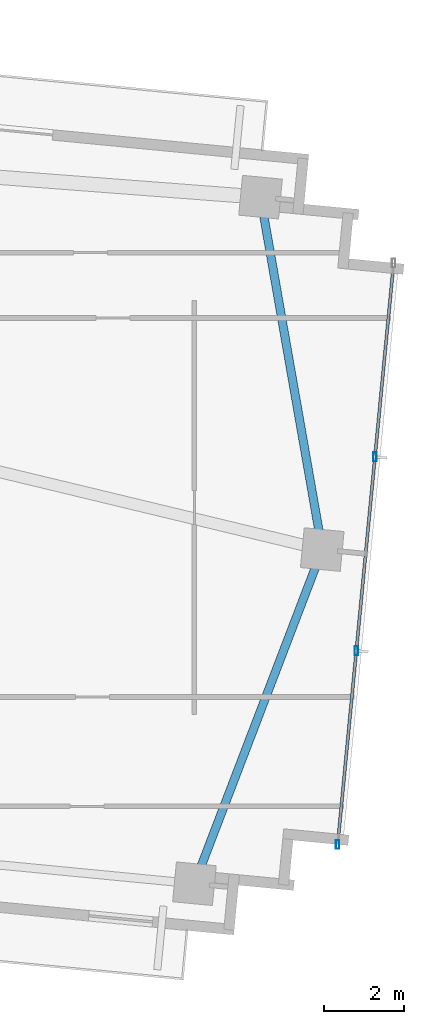
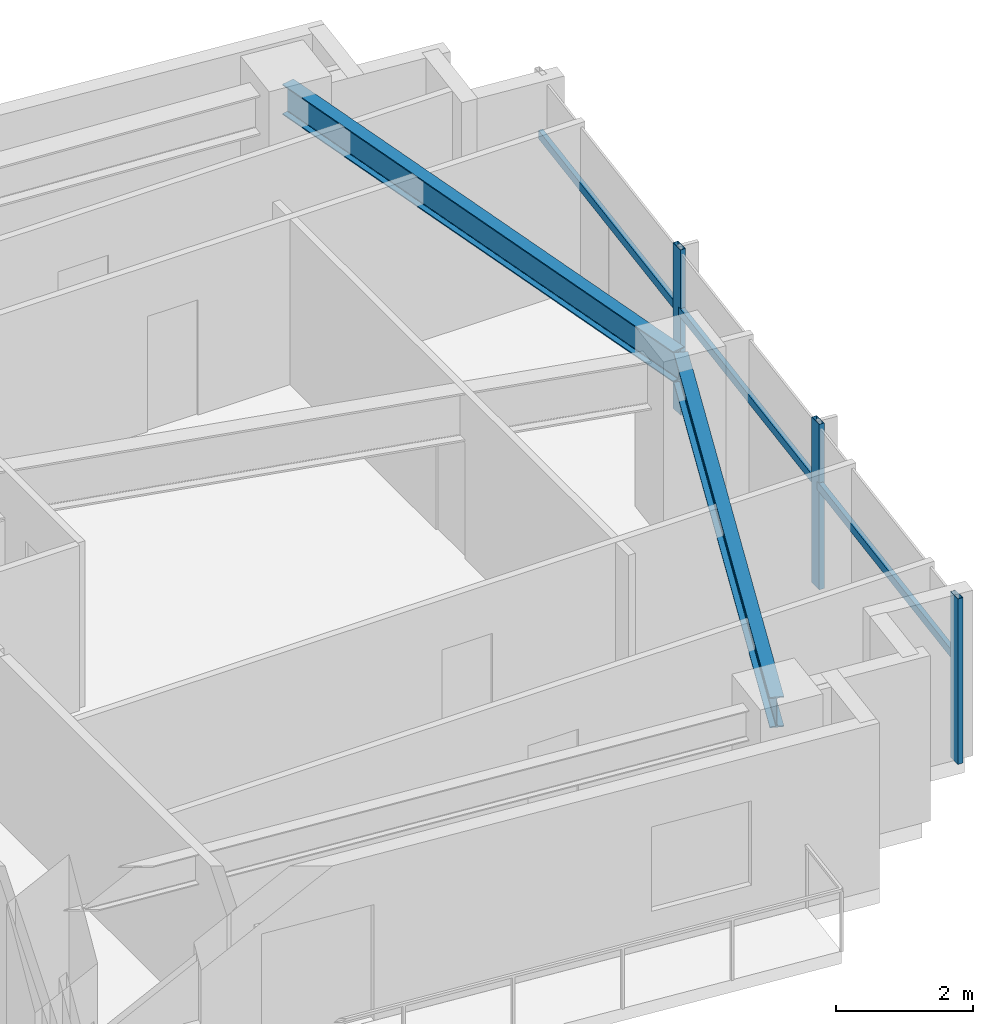
# One storey, part 11 of 20: 6 members, 2 beams, 1 element without a shape of its own.
"""IFC4 building model written with IfcOpenShell, lengths in metres."""

import ifcopenshell
import ifcopenshell.guid

model = None  # the IFC model being written
_history = None  # IfcOwnerHistory: only IFC2X3 demands one
_inside = {}  # id of a spatial element -> (the spatial element, [elements in it])
_under = {}  # id of a project, library or spatial element -> (it, [spatial elements below it])
_declared = {}  # id of a project -> (the project, [libraries it declares])
_typed = {}  # id of a type object -> (the type object, [elements of that type])
_made_of = {}  # id of a material, layer set ... -> (it, [elements and type objects made of it])


def new_model(schema):
    """Start an empty IFC model of exactly this schema.

    Asked for "IFC4X3", IfcOpenShell would pick the latest addendum, in which some entities
    have other attributes; the version numbers below select the first issue.
    IFC2X3 requires an IfcOwnerHistory on every rooted entity: one is made here for all.
    """
    global model, _history
    if schema == "IFC4X3":
        model = ifcopenshell.file(schema_version=(4, 3, 0, 0))
    else:
        model = ifcopenshell.file(schema=schema)
    _inside.clear()
    _under.clear()
    _declared.clear()
    _typed.clear()
    _made_of.clear()
    _history = None
    if model.schema == "IFC2X3":
        org = make("IfcOrganization", Name="unknown")
        user = make(
            "IfcPersonAndOrganization",
            ThePerson=make("IfcPerson", FamilyName="unknown"),
            TheOrganization=org,
        )
        app = make(
            "IfcApplication",
            ApplicationDeveloper=org,
            Version="unknown",
            ApplicationFullName="unknown",
            ApplicationIdentifier="unknown",
        )
        _history = make(
            "IfcOwnerHistory",
            OwningUser=user,
            OwningApplication=app,
            ChangeAction="ADDED",
            CreationDate=0,
        )
    return model


def make(cls, **values):
    """One entity of the class cls with the attributes given. An attribute that is None is left unset."""
    return model.create_entity(
        cls, **{name: value for name, value in values.items() if value is not None}
    )


def rooted(cls, **values):
    """An entity with a GlobalId (a new one), such as an element, a storey or a relation."""
    return make(cls, GlobalId=ifcopenshell.guid.new(), OwnerHistory=_history, **values)


def si_unit(unit_type, name, prefix=None):
    """IfcSIUnit, for example si_unit("LENGTHUNIT", "METRE", prefix="MILLI")."""
    return make("IfcSIUnit", UnitType=unit_type, Prefix=prefix, Name=name)


def assignment(units):
    """IfcUnitAssignment: the units of a project."""
    return None if units is None else make("IfcUnitAssignment", Units=units)


def point(xyz):
    """IfcCartesianPoint."""
    return None if xyz is None else make("IfcCartesianPoint", Coordinates=xyz)


def direction(xyz):
    """IfcDirection."""
    return None if xyz is None else make("IfcDirection", DirectionRatios=xyz)


def frame(location, z_axis=None, x_axis=None):
    """IfcAxis2Placement3D, a coordinate frame: its origin and axes. An axis left out is left unset."""
    return make(
        "IfcAxis2Placement3D",
        Location=point(location),
        Axis=direction(z_axis),
        RefDirection=direction(x_axis),
    )


def frame_2d(location, x_axis=None):
    """IfcAxis2Placement2D, a coordinate frame in the plane: its origin and x axis."""
    return make(
        "IfcAxis2Placement2D", Location=point(location), RefDirection=direction(x_axis)
    )


def origin():
    """The frame at (0, 0, 0) with its axes left unset."""
    return frame((0.0, 0.0, 0.0))


def origin_2d():
    """The frame at (0, 0) in the plane with its x axis left unset."""
    return frame_2d((0.0, 0.0))


def place(relative_to, where):
    """IfcLocalPlacement: puts the frame where relative to a parent placement (None: the world)."""
    return make(
        "IfcLocalPlacement", PlacementRelTo=relative_to, RelativePlacement=where
    )


def context(
    kind, dimensions, precision=None, world=None, true_north=None, identifier=None
):
    """IfcGeometricRepresentationContext, for example the 3D "Model" context."""
    return make(
        "IfcGeometricRepresentationContext",
        ContextIdentifier=identifier,
        ContextType=kind,
        CoordinateSpaceDimension=dimensions,
        Precision=precision,
        WorldCoordinateSystem=world,
        TrueNorth=true_north,
    )


def subcontext(parent, identifier, kind, view, scale=None):
    """IfcGeometricRepresentationSubContext, for example "Body" below "Model"."""
    return make(
        "IfcGeometricRepresentationSubContext",
        ContextIdentifier=identifier,
        ContextType=kind,
        ParentContext=parent,
        TargetScale=scale,
        TargetView=view,
    )


def project(units=None, contexts=None):
    """IfcProject with its units and contexts."""
    return rooted(
        "IfcProject",
        Name="project",
        RepresentationContexts=contexts,
        UnitsInContext=assignment(units),
    )


def spatial(cls, under=None, at=None, **own):
    """A site, building, storey or space (cls), placed at a placement, below another one or the project."""
    s = rooted(cls, ObjectPlacement=at, **own)
    if under is not None:
        _under.setdefault(under.id(), (under, []))[1].append(s)
    return s


def profile(cls, at=None, kind="AREA", **sizes):
    """A parametric profile (cls). Its sizes go by their IFC names, for example OverallWidth=200.0."""
    return make(cls, ProfileType=kind, Position=at, **sizes)


def hollow_rectangle(**sizes):
    """IfcRectangleHollowProfileDef."""
    return profile("IfcRectangleHollowProfileDef", **sizes)


def i_section(**sizes):
    """IfcIShapeProfileDef."""
    return profile("IfcIShapeProfileDef", **sizes)


def extrude(swept, where, along, depth):
    """IfcExtrudedAreaSolid: the profile swept, set in the frame where, extruded along a direction by depth."""
    return make(
        "IfcExtrudedAreaSolid",
        SweptArea=swept,
        Position=where,
        ExtrudedDirection=direction(along),
        Depth=depth,
    )


def shape(context_of_items, identifier, shape_type, items):
    """IfcShapeRepresentation: the items that make up one representation, for example the "Body"."""
    return make(
        "IfcShapeRepresentation",
        ContextOfItems=context_of_items,
        RepresentationIdentifier=identifier,
        RepresentationType=shape_type,
        Items=items,
    )


def source(mapping_origin, context_of_items, identifier, shape_type, items):
    """IfcRepresentationMap: a shape defined once, which mapped items show again and again."""
    return make(
        "IfcRepresentationMap",
        MappingOrigin=mapping_origin,
        MappedRepresentation=shape(context_of_items, identifier, shape_type, items),
    )


def transform(
    local_origin,
    x_axis=None,
    y_axis=None,
    z_axis=None,
    scale=None,
    scale2=None,
    scale3=None,
    uniform=True,
):
    """IfcCartesianTransformationOperator3D, or its non-uniform kind. x_axis, y_axis, z_axis: its Axis1, 2, 3."""
    if uniform:
        return make(
            "IfcCartesianTransformationOperator3D",
            Axis1=direction(x_axis),
            Axis2=direction(y_axis),
            LocalOrigin=point(local_origin),
            Scale=scale,
            Axis3=direction(z_axis),
        )
    return make(
        "IfcCartesianTransformationOperator3DnonUniform",
        Axis1=direction(x_axis),
        Axis2=direction(y_axis),
        LocalOrigin=point(local_origin),
        Scale=scale,
        Axis3=direction(z_axis),
        Scale2=scale2,
        Scale3=scale3,
    )


def mapped(mapping_source, mapping_target):
    """IfcMappedItem: shows the shape of a source again, moved by a transform."""
    return make(
        "IfcMappedItem", MappingSource=mapping_source, MappingTarget=mapping_target
    )


def material(Name=None, Category=None):
    """IfcMaterial."""
    return make("IfcMaterial", Name=Name, Category=Category)


def material_profile(
    of_material, cross_section, Name=None, Category=None, Priority=None
):
    """IfcMaterialProfile: a cross section and its material."""
    return make(
        "IfcMaterialProfile",
        Name=Name,
        Material=of_material,
        Profile=cross_section,
        Priority=Priority,
        Category=Category,
    )


def profile_set(profiles, Name=None, composite=None):
    """IfcMaterialProfileSet."""
    return make(
        "IfcMaterialProfileSet",
        Name=Name,
        MaterialProfiles=profiles,
        CompositeProfile=composite,
    )


def made_of(thing, what):
    """Note that an element or type object is made of a material, layer set ...; save() writes the relation."""
    if what is not None:
        _made_of.setdefault(what.id(), (what, []))[1].append(thing)
    return thing


def type_object(cls, material=None, **own):
    """A type object (cls), such as IfcWallType, which elements share."""
    return made_of(rooted(cls, **own), material)


def type_shapes(of_type, sources):
    """Give a type object the sources (RepresentationMaps) that its elements show as mapped items."""
    of_type.RepresentationMaps = sources


def element(
    cls,
    number,
    at=None,
    inside=None,
    cuts=None,
    type_object=None,
    material=None,
    context=None,
    identifier="Body",
    shape_type=None,
    held_by="IfcProductDefinitionShape",
    body=None,
    shapes=None,
    **own,
):
    """One element of the class cls, such as IfcWall. Its Tag is "e" and its number.

    at: its placement. inside: the storey or other place that contains it. cuts: it is an
    opening in that element (IfcRelVoidsElement). A single representation is given by context,
    identifier, shape_type and body (its items); several are given by shapes. held_by: the class
    of the entity that holds the representations. save() writes the other relations.
    """
    e = rooted(cls, Tag="e%d" % number, ObjectPlacement=at, **own)
    if body is not None:
        shapes = [shape(context, identifier, shape_type, body)]
    if shapes is not None:
        e.Representation = make(held_by, Representations=shapes)
    if inside is not None:
        _inside.setdefault(inside.id(), (inside, []))[1].append(e)
    if cuts is not None:
        rooted(
            "IfcRelVoidsElement", RelatingBuildingElement=cuts, RelatedOpeningElement=e
        )
    if type_object is not None:
        _typed.setdefault(type_object.id(), (type_object, []))[1].append(e)
    return made_of(e, material)


def aggregate(whole, parts):
    """IfcRelAggregates: a whole, such as a stair, and the parts it consists of."""
    return rooted("IfcRelAggregates", RelatingObject=whole, RelatedObjects=parts)


def save(model, path):
    """Write the relations noted so far, then the file.

    IfcRelAggregates (storeys below a building ...), IfcRelContainedInSpatialStructure (elements
    in a storey), IfcRelDefinesByType, IfcRelAssociatesMaterial and IfcRelDeclares: one each for
    every whole, place, type object, material and project.
    """
    for whole, parts in _under.values():
        aggregate(whole, parts)
    for where, things in _inside.values():
        rooted(
            "IfcRelContainedInSpatialStructure",
            RelatedElements=things,
            RelatingStructure=where,
        )
    for kind, things in _typed.values():
        rooted("IfcRelDefinesByType", RelatedObjects=things, RelatingType=kind)
    for what, things in _made_of.values():
        rooted("IfcRelAssociatesMaterial", RelatedObjects=things, RelatingMaterial=what)
    for by, libraries in _declared.values():
        rooted("IfcRelDeclares", RelatingContext=by, RelatedDefinitions=libraries)
    model.write(path)


model = new_model("IFC4")

# Units and contexts
model_context = context("Model", 3, precision=1e-05, world=origin(), true_north=direction((0.0, 1.0)))
body_context = subcontext(model_context, "Body", "Model", "MODEL_VIEW")
ifc_project = project(units=[si_unit("LENGTHUNIT", "METRE"), si_unit("AREAUNIT", "SQUARE_METRE"), si_unit("VOLUMEUNIT", "CUBIC_METRE"), si_unit("PLANEANGLEUNIT", "RADIAN"), si_unit("MASSUNIT", "GRAM", prefix="KILO")], contexts=[model_context])

# Site, building, storey
site_placement = place(None, origin())
site = spatial("IfcSite", under=ifc_project, at=site_placement, CompositionType="ELEMENT")
building_placement = place(site_placement, origin())
building = spatial("IfcBuilding", under=site, at=building_placement, Name="Astriad Promenade Condominiums", CompositionType="ELEMENT")
storey_placement = place(building_placement, frame((0.0, 0.0, 137.39990234375)))
storey = spatial("IfcBuildingStorey", under=building, at=storey_placement, Name="L39", CompositionType="ELEMENT", Elevation=137.39990234375)

# Beams
ifc_material_1 = material(Name="Steel ASTM A992 Grade 50", Category="steel")
ifc_material_profile_1 = material_profile(ifc_material_1, i_section(OverallWidth=0.210693359375, OverallDepth=0.53955078125, WebThickness=0.01171875, FlangeThickness=0.018798828125, FilletRadius=0.0166015625, at=origin_2d()), Name="W21X73")
ifc_profile_set_1 = profile_set([ifc_material_profile_1], Name="Steel ASTM A992 Grade 50")
beam_type = type_object("IfcBeamType", Name="STEEL SPANDREL BEAM W21X73", PredefinedType="SPANDREL", material=ifc_profile_set_1)
shared_shape_1 = source(origin(), body_context, "Body", "SweptSolid", [
    extrude(i_section(OverallWidth=0.210693359375, OverallDepth=0.53955078125, WebThickness=0.01171875, FlangeThickness=0.018798828125, FilletRadius=0.0166015625, at=origin_2d()), origin(), (0.0, 0.0, 1.0), 8.8623046875),
])
type_shapes(beam_type, [shared_shape_1])
for number, where, z_axis, x_axis, name in (
    (1, (55.081298828125, 6.033447265625, 2.67041015625), (0.357298632827, 0.933990196405, 0.0), (-0.933990196405, 0.357298632827, 0.0), "Perimeter Spandrel Beam SP-E1-L39"),
    (2, (58.25537109375, 14.3876953125, 2.67041015625), (-0.172532686951, 0.985003792852, 0.0), (-0.985003792852, -0.172532686951, 0.0), "Perimeter Spandrel Beam SP-E2-L39"),
):
    element("IfcBeam", number, at=place(storey_placement, frame(where, z_axis=z_axis, x_axis=x_axis)), inside=storey, type_object=beam_type, Name=name, PredefinedType="SPANDREL", context=body_context, shape_type="MappedRepresentation", body=[
        mapped(shared_shape_1, transform((0.0, 0.0, 0.0), scale=1.0)),
    ])

# Curtain wall, members
ifc_material_2 = material(Name="Anodised aluminium Black Dark Glass Unitised", Category="aluminium")
curtain_wall_type = type_object("IfcCurtainWallType", Name="CW-B34-DARK", PredefinedType="USERDEFINED", material=ifc_material_2)
curtain_wall_placement = place(storey_placement, origin())
curtain_wall = element("IfcCurtainWall", 3, at=curtain_wall_placement, inside=storey, type_object=curtain_wall_type, Name="CW-L39-E", ObjectType="UNITISED_CURTAIN_WALL", PredefinedType="USERDEFINED")
ifc_material_3 = material(Name="Anodised aluminium 6063-T6 Black", Category="aluminium")
ifc_material_profile_2 = material_profile(ifc_material_3, hollow_rectangle(XDim=0.074951171875, YDim=0.14990234375, WallThickness=0.004150390625, at=origin_2d()), Name="ALU-TRN-75X150")
ifc_profile_set_2 = profile_set([ifc_material_profile_2], Name="Anodised aluminium 6063-T6 Black")
member_type_1 = type_object("IfcMemberType", Name="TRN-ALU-TRN-75X150", PredefinedType="USERDEFINED", material=ifc_profile_set_2)
shared_shape_2 = source(origin(), body_context, "Body", "SweptSolid", [
    extrude(hollow_rectangle(XDim=0.074951171875, YDim=0.14990234375, WallThickness=0.004150390625, at=origin_2d()), origin(), (0.0, 0.0, 1.0), 4.86669921875),
])
member_1_placement = place(storey_placement, frame((60.046875, 21.51025390625, 1.822998046875), z_axis=(-0.095867260207, -0.995394127178, 0.0), x_axis=(0.995394127178, -0.095867260207, 0.0)))
member_1 = element("IfcMember", 4, at=member_1_placement, type_object=member_type_1, Name="CW-L39-E-TRN-00-0", ObjectType="TRANSOM", PredefinedType="USERDEFINED", context=body_context, shape_type="MappedRepresentation", body=[
    mapped(shared_shape_2, transform((0.0, 0.0, 0.0), scale=1.0)),
])
member_2_placement = place(storey_placement, frame((59.580322265625, 16.666015625, 1.822998046875), z_axis=(-0.095817554883, -0.995398913088, 0.0), x_axis=(0.995398913088, -0.095817554883, 0.0)))
member_2 = element("IfcMember", 5, at=member_2_placement, type_object=member_type_1, Name="CW-L39-E-TRN-01-0", ObjectType="TRANSOM", PredefinedType="USERDEFINED", context=body_context, shape_type="MappedRepresentation", body=[
    mapped(shared_shape_2, transform((0.0, 0.0, 0.0), scale=1.0)),
])
shared_shape_3 = source(origin(), body_context, "Body", "SweptSolid", [
    extrude(hollow_rectangle(XDim=0.074951171875, YDim=0.14990234375, WallThickness=0.004150390625, at=origin_2d()), origin(), (0.0, 0.0, 1.0), 4.866943359375),
])
type_shapes(member_type_1, [shared_shape_2, shared_shape_3])
member_3_placement = place(storey_placement, frame((59.114013671875, 11.82177734375, 1.822998046875), z_axis=(-0.095862473318, -0.995394588196, 0.0), x_axis=(0.995394588196, -0.095862473318, 0.0)))
member_3 = element("IfcMember", 6, at=member_3_placement, type_object=member_type_1, Name="CW-L39-E-TRN-02-0", ObjectType="TRANSOM", PredefinedType="USERDEFINED", context=body_context, shape_type="MappedRepresentation", body=[
    mapped(shared_shape_3, transform((0.0, 0.0, 0.0), scale=1.0)),
])
ifc_material_profile_3 = material_profile(ifc_material_3, hollow_rectangle(XDim=0.0849609375, YDim=0.219970703125, WallThickness=0.0048828125, at=origin_2d()), Name="ALU-MUL-85X220")
ifc_profile_set_3 = profile_set([ifc_material_profile_3], Name="Anodised aluminium 6063-T6 Black")
member_type_2 = type_object("IfcMemberType", Name="MUL-ALU-MUL-85X220", PredefinedType="MULLION", material=ifc_profile_set_3)
shared_shape_4 = source(origin(), body_context, "Body", "SweptSolid", [
    extrude(hollow_rectangle(XDim=0.0849609375, YDim=0.219970703125, WallThickness=0.0048828125, at=origin_2d()), origin(), (0.0, 0.0, 1.0), 2.940185546875),
])
type_shapes(member_type_2, [shared_shape_4])
member_4_placement = place(storey_placement, frame((59.580322265625, 16.666015625, 0.0), z_axis=(0.0, 0.0, 1.0), x_axis=(1.0, 0.0, 0.0)))
member_4 = element("IfcMember", 7, at=member_4_placement, type_object=member_type_2, Name="CW-L39-E-MUL-01", PredefinedType="MULLION", context=body_context, shape_type="MappedRepresentation", body=[
    mapped(shared_shape_4, transform((0.0, 0.0, 0.0), scale=1.0)),
])
member_5_placement = place(storey_placement, frame((59.114013671875, 11.82177734375, 0.0), z_axis=(0.0, 0.0, 1.0), x_axis=(1.0, 0.0, 0.0)))
member_5 = element("IfcMember", 8, at=member_5_placement, type_object=member_type_2, Name="CW-L39-E-MUL-02", PredefinedType="MULLION", context=body_context, shape_type="MappedRepresentation", body=[
    mapped(shared_shape_4, transform((0.0, 0.0, 0.0), scale=1.0)),
])
member_6_placement = place(storey_placement, frame((58.6474609375, 6.977294921875, 0.0), z_axis=(0.0, 0.0, 1.0), x_axis=(1.0, 0.0, 0.0)))
member_6 = element("IfcMember", 9, at=member_6_placement, type_object=member_type_2, Name="CW-L39-E-MUL-03", PredefinedType="MULLION", context=body_context, shape_type="MappedRepresentation", body=[
    mapped(shared_shape_4, transform((0.0, 0.0, 0.0), scale=1.0)),
])
aggregate(curtain_wall, [member_4, member_5, member_6, member_1, member_2, member_3])

save(model, "model.ifc")
